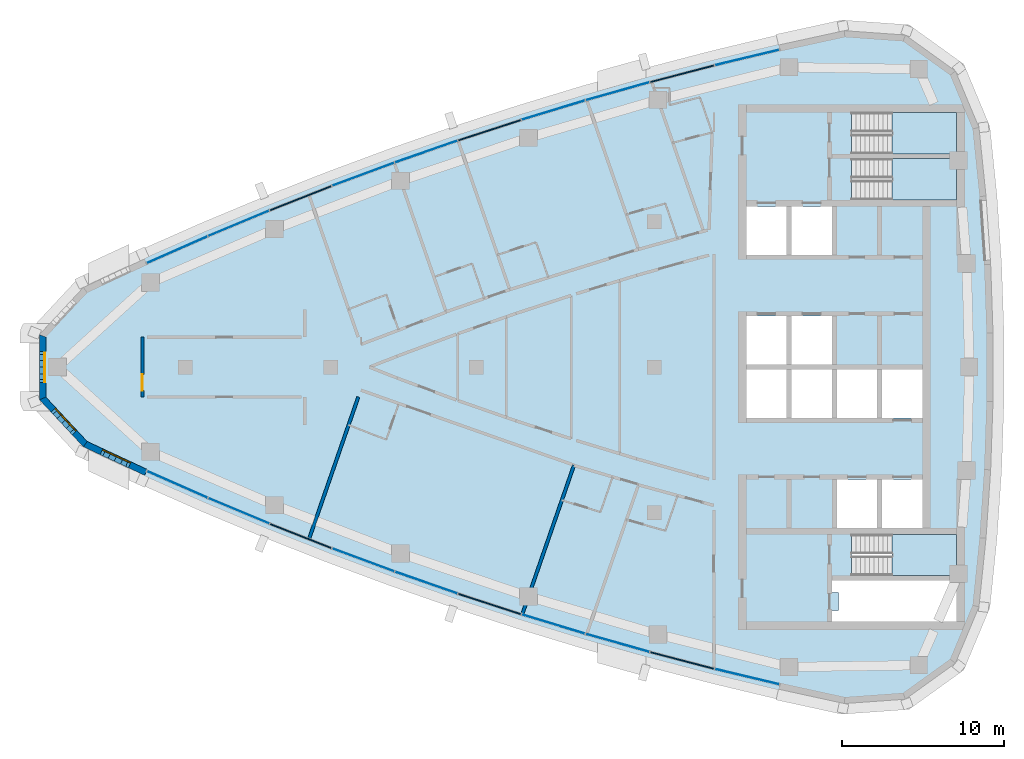
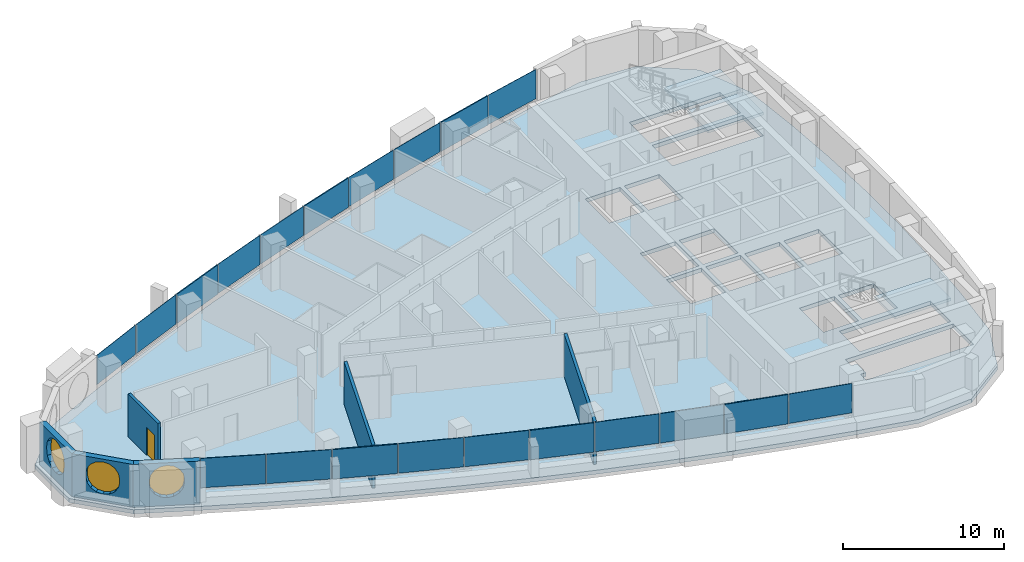
# One storey, part 6 of 14: 20 plates, 6 walls, 4 slabs, 3 windows, 1 door, 5 openings, 13 elements without a shape of their own.
"""IFC4 building model written with IfcOpenShell, lengths in metres."""

from ifc_helpers import new_model, si_unit, direction, frame, frame_2d, origin, origin_2d, place, context, subcontext, project, spatial, polyline, rectangle, outline, extrude, material, layer, layer_set, type_object, element, fill, aggregate, save


model = new_model("IFC4")

# Units and contexts
model_context = context("Model", 3, precision=1e-05, world=origin(), true_north=direction((0.0, 1.0)))
body_context = subcontext(model_context, "Body", "Model", "MODEL_VIEW")
ifc_project = project(units=[si_unit("LENGTHUNIT", "METRE"), si_unit("AREAUNIT", "SQUARE_METRE"), si_unit("VOLUMEUNIT", "CUBIC_METRE"), si_unit("PLANEANGLEUNIT", "RADIAN"), si_unit("MASSUNIT", "GRAM", prefix="KILO")], contexts=[model_context])

# Site, building, storey
site_placement = place(None, origin())
site = spatial("IfcSite", under=ifc_project, at=site_placement, CompositionType="ELEMENT")
building_placement = place(site_placement, origin())
building = spatial("IfcBuilding", under=site, at=building_placement, Name="Ostrand Prow Hotel Tower", CompositionType="ELEMENT")
storey_placement = place(building_placement, frame((0.0, 0.0, 296.300048828125)))
storey = spatial("IfcBuildingStorey", under=building, at=storey_placement, Name="L75", CompositionType="ELEMENT", Elevation=296.300048828125)

# Curtain wall, plates
ifc_material_1 = material(Name="Insulated glass in bronze anodised frame", Category="glass")
ifc_layer_1 = layer(ifc_material_1, 0.199951171875)
ifc_layer_set_1 = layer_set([ifc_layer_1], Name="Insulated glass in bronze anodised frame")
curtain_wall_type = type_object("IfcCurtainWallType", Name="Strip curtain wall, fritted glass over bronze spandrel", PredefinedType="NOTDEFINED", material=ifc_layer_set_1)
curtain_wall_1_placement = place(storey_placement, origin())
curtain_wall_1 = element("IfcCurtainWall", 1, at=curtain_wall_1_placement, inside=storey, type_object=curtain_wall_type, Name="CW1 run CWS1", PredefinedType="NOTDEFINED")
ifc_material_2 = material(Name="Ceramic-fritted glass", Category="glass")
ifc_layer_2 = layer(ifc_material_2, 0.031982421875)
ifc_layer_set_2 = layer_set([ifc_layer_2], Name="Ceramic-fritted glass")
plate_type_1 = type_object("IfcPlateType", Name="Dot-fritted ceramic glass unit 32 mm", PredefinedType="CURTAIN_PANEL", material=ifc_layer_set_2)
plate_1_placement = place(storey_placement, frame((15.493408203125, -7.259765625, 1.02001953125), z_axis=(0.0, 0.0, 1.0), x_axis=(0.914785615941, -0.403939694592, 0.0)))
plate_1 = element("IfcPlate", 2, at=plate_1_placement, type_object=plate_type_1, Name="CW1 PN-D panel 1.2", PredefinedType="CURTAIN_PANEL", context=body_context, shape_type="SweptSolid", body=[
    extrude(rectangle(XDim=4.079833984375, YDim=0.031982421875, at=origin_2d()), origin(), (0.0, 0.0, 1.0), 2.22998046875),
])
plate_2_placement = place(storey_placement, frame((19.297119140625, -8.893798828125, 1.02001953125), z_axis=(0.0, 0.0, 1.0), x_axis=(0.922719840955, -0.385471263659, 0.0)))
plate_2 = element("IfcPlate", 3, at=plate_2_placement, type_object=plate_type_1, Name="CW1 PN-D panel 2.2", PredefinedType="CURTAIN_PANEL", context=body_context, shape_type="SweptSolid", body=[
    extrude(rectangle(XDim=4.079833984375, YDim=0.031982421875, at=origin_2d()), origin(), (0.0, 0.0, 1.0), 2.22998046875),
])
aggregate(curtain_wall_1, [plate_1, plate_2])

# Curtain wall, plate
curtain_wall_2_placement = place(storey_placement, origin())
curtain_wall_2 = element("IfcCurtainWall", 4, at=curtain_wall_2_placement, inside=storey, type_object=curtain_wall_type, Name="CW1 run CWS2", PredefinedType="NOTDEFINED")
plate_3_placement = place(storey_placement, frame((26.99853515625, -11.930908203125, 1.02001953125), z_axis=(0.0, 0.0, 1.0), x_axis=(0.937468017947, -0.348071422738, 0.0)))
plate_3 = element("IfcPlate", 5, at=plate_3_placement, type_object=plate_type_1, Name="CW1 PN-D panel 2.2", PredefinedType="CURTAIN_PANEL", context=body_context, shape_type="SweptSolid", body=[
    extrude(rectangle(XDim=4.079833984375, YDim=0.031982421875, at=origin_2d()), origin(), (0.0, 0.0, 1.0), 2.22998046875),
])

curtain_wall_3_placement = place(storey_placement, origin())
curtain_wall_3 = element("IfcCurtainWall", 6, at=curtain_wall_3_placement, inside=storey, type_object=curtain_wall_type, Name="CW1 run CWS3", PredefinedType="NOTDEFINED")
plate_4_placement = place(storey_placement, frame((30.8935546875, -13.33251953125, 1.02001953125), z_axis=(0.0, 0.0, 1.0), x_axis=(0.944274730614, -0.329158370885, 0.0)))
plate_4 = element("IfcPlate", 7, at=plate_4_placement, type_object=plate_type_1, Name="CW1 PN-D panel 1.2", PredefinedType="CURTAIN_PANEL", context=body_context, shape_type="SweptSolid", body=[
    extrude(rectangle(XDim=4.079833984375, YDim=0.031982421875, at=origin_2d()), origin(), (0.0, 0.0, 1.0), 2.22998046875),
])

# Curtain wall, plates
curtain_wall_4_placement = place(storey_placement, origin())
curtain_wall_4 = element("IfcCurtainWall", 8, at=curtain_wall_4_placement, inside=storey, type_object=curtain_wall_type, Name="CW1 run CWS4", PredefinedType="NOTDEFINED")
plate_5_placement = place(storey_placement, frame((38.76416015625, -15.89990234375, 1.02001953125), z_axis=(0.0, 0.0, 1.0), x_axis=(0.956742015769, -0.290937648411, 0.0)))
plate_5 = element("IfcPlate", 9, at=plate_5_placement, type_object=plate_type_1, Name="CW1 PN-D panel 1.2", PredefinedType="CURTAIN_PANEL", context=body_context, shape_type="SweptSolid", body=[
    extrude(rectangle(XDim=4.079833984375, YDim=0.031982421875, at=origin_2d()), origin(), (0.0, 0.0, 1.0), 2.22998046875),
])
plate_6_placement = place(storey_placement, frame((42.736572265625, -17.064453125, 1.02001953125), z_axis=(0.0, 0.0, 1.0), x_axis=(0.962396468548, -0.271648738865, 0.0)))
plate_6 = element("IfcPlate", 10, at=plate_6_placement, type_object=plate_type_1, Name="CW1 PN-D panel 2.2", PredefinedType="CURTAIN_PANEL", context=body_context, shape_type="SweptSolid", body=[
    extrude(rectangle(XDim=4.079833984375, YDim=0.031982421875, at=origin_2d()), origin(), (0.0, 0.0, 1.0), 2.22998046875),
])
aggregate(curtain_wall_4, [plate_5, plate_6])

# Curtain wall, plate
curtain_wall_5_placement = place(storey_placement, origin())
curtain_wall_5 = element("IfcCurtainWall", 11, at=curtain_wall_5_placement, inside=storey, type_object=curtain_wall_type, Name="CW1 run CWS5", PredefinedType="NOTDEFINED")
plate_7_placement = place(storey_placement, frame((50.74755859375, -19.152587890625, 1.02001953125), z_axis=(0.0, 0.0, 1.0), x_axis=(0.972537533869, -0.232746096028, 0.0)))
plate_7 = element("IfcPlate", 12, at=plate_7_placement, type_object=plate_type_1, Name="CW1 PN-D panel 2.2", PredefinedType="CURTAIN_PANEL", context=body_context, shape_type="SweptSolid", body=[
    extrude(rectangle(XDim=4.079833984375, YDim=0.031982421875, at=origin_2d()), origin(), (0.0, 0.0, 1.0), 2.22998046875),
])

curtain_wall_6_placement = place(storey_placement, origin())
curtain_wall_6 = element("IfcCurtainWall", 13, at=curtain_wall_6_placement, inside=storey, type_object=curtain_wall_type, Name="CW1 run CWN1", PredefinedType="NOTDEFINED")
plate_8_placement = place(storey_placement, frame((50.74755859375, 19.152587890625, 1.02001953125), z_axis=(0.0, 0.0, 1.0), x_axis=(-0.972537533869, -0.232746096028, 0.0)))
plate_8 = element("IfcPlate", 14, at=plate_8_placement, type_object=plate_type_1, Name="CW1 PN-D panel 1.2", PredefinedType="CURTAIN_PANEL", context=body_context, shape_type="SweptSolid", body=[
    extrude(rectangle(XDim=4.079833984375, YDim=0.031982421875, at=origin_2d()), origin(), (0.0, 0.0, 1.0), 2.22998046875),
])

# Curtain wall, plates
curtain_wall_7_placement = place(storey_placement, origin())
curtain_wall_7 = element("IfcCurtainWall", 15, at=curtain_wall_7_placement, inside=storey, type_object=curtain_wall_type, Name="CW1 run CWN2", PredefinedType="NOTDEFINED")
plate_9_placement = place(storey_placement, frame((42.736572265625, 17.064453125, 1.02001953125), z_axis=(0.0, 0.0, 1.0), x_axis=(-0.962396468548, -0.271648738865, 0.0)))
plate_9 = element("IfcPlate", 16, at=plate_9_placement, type_object=plate_type_1, Name="CW1 PN-D panel 1.2", PredefinedType="CURTAIN_PANEL", context=body_context, shape_type="SweptSolid", body=[
    extrude(rectangle(XDim=4.079833984375, YDim=0.031982421875, at=origin_2d()), origin(), (0.0, 0.0, 1.0), 2.22998046875),
])
plate_10_placement = place(storey_placement, frame((38.76416015625, 15.89990234375, 1.02001953125), z_axis=(0.0, 0.0, 1.0), x_axis=(-0.956742015769, -0.290937648411, 0.0)))
plate_10 = element("IfcPlate", 17, at=plate_10_placement, type_object=plate_type_1, Name="CW1 PN-D panel 2.2", PredefinedType="CURTAIN_PANEL", context=body_context, shape_type="SweptSolid", body=[
    extrude(rectangle(XDim=4.079833984375, YDim=0.031982421875, at=origin_2d()), origin(), (0.0, 0.0, 1.0), 2.22998046875),
])
aggregate(curtain_wall_7, [plate_9, plate_10])

# Curtain wall, plate
curtain_wall_8_placement = place(storey_placement, origin())
curtain_wall_8 = element("IfcCurtainWall", 18, at=curtain_wall_8_placement, inside=storey, type_object=curtain_wall_type, Name="CW1 run CWN3", PredefinedType="NOTDEFINED")
plate_11_placement = place(storey_placement, frame((30.8935546875, 13.33251953125, 1.02001953125), z_axis=(0.0, 0.0, 1.0), x_axis=(-0.944274730614, -0.329158370885, 0.0)))
plate_11 = element("IfcPlate", 19, at=plate_11_placement, type_object=plate_type_1, Name="CW1 PN-D panel 2.2", PredefinedType="CURTAIN_PANEL", context=body_context, shape_type="SweptSolid", body=[
    extrude(rectangle(XDim=4.079833984375, YDim=0.031982421875, at=origin_2d()), origin(), (0.0, 0.0, 1.0), 2.22998046875),
])

curtain_wall_9_placement = place(storey_placement, origin())
curtain_wall_9 = element("IfcCurtainWall", 20, at=curtain_wall_9_placement, inside=storey, type_object=curtain_wall_type, Name="CW1 run CWN4", PredefinedType="NOTDEFINED")
plate_12_placement = place(storey_placement, frame((26.99853515625, 11.930908203125, 1.02001953125), z_axis=(0.0, 0.0, 1.0), x_axis=(-0.937468017947, -0.348071422738, 0.0)))
plate_12 = element("IfcPlate", 21, at=plate_12_placement, type_object=plate_type_1, Name="CW1 PN-D panel 1.2", PredefinedType="CURTAIN_PANEL", context=body_context, shape_type="SweptSolid", body=[
    extrude(rectangle(XDim=4.079833984375, YDim=0.031982421875, at=origin_2d()), origin(), (0.0, 0.0, 1.0), 2.22998046875),
])

# Curtain wall, plates
curtain_wall_10_placement = place(storey_placement, origin())
curtain_wall_10 = element("IfcCurtainWall", 22, at=curtain_wall_10_placement, inside=storey, type_object=curtain_wall_type, Name="CW1 run CWN5", PredefinedType="NOTDEFINED")
plate_13_placement = place(storey_placement, frame((19.297119140625, 8.893798828125, 1.02001953125), z_axis=(0.0, 0.0, 1.0), x_axis=(-0.922719840955, -0.385471263659, 0.0)))
plate_13 = element("IfcPlate", 23, at=plate_13_placement, type_object=plate_type_1, Name="CW1 PN-D panel 1.2", PredefinedType="CURTAIN_PANEL", context=body_context, shape_type="SweptSolid", body=[
    extrude(rectangle(XDim=4.079833984375, YDim=0.031982421875, at=origin_2d()), origin(), (0.0, 0.0, 1.0), 2.22998046875),
])
plate_14_placement = place(storey_placement, frame((15.493408203125, 7.259765625, 1.02001953125), z_axis=(0.0, 0.0, 1.0), x_axis=(-0.914785615941, -0.403939694592, 0.0)))
plate_14 = element("IfcPlate", 24, at=plate_14_placement, type_object=plate_type_1, Name="CW1 PN-D panel 2.2", PredefinedType="CURTAIN_PANEL", context=body_context, shape_type="SweptSolid", body=[
    extrude(rectangle(XDim=4.079833984375, YDim=0.031982421875, at=origin_2d()), origin(), (0.0, 0.0, 1.0), 2.22998046875),
])
aggregate(curtain_wall_10, [plate_13, plate_14])

# Plate
ifc_material_3 = material(Name="Fritted glass in bronze vent frame", Category="glass")
ifc_layer_3 = layer(ifc_material_3, 0.080078125)
ifc_layer_set_3 = layer_set([ifc_layer_3], Name="Fritted glass in bronze vent frame")
plate_type_2 = type_object("IfcPlateType", Name="Operable vent panel 80 mm", PredefinedType="CURTAIN_PANEL", material=ifc_layer_set_3)
plate_15_placement = place(storey_placement, frame((23.132568359375, -10.450927734375, 1.02001953125), z_axis=(0.0, 0.0, 1.0), x_axis=(0.930281895249, -0.366845465248, 0.0)))
plate_15 = element("IfcPlate", 25, at=plate_15_placement, type_object=plate_type_2, Name="CW1 PN-O2 panel 1.2", PredefinedType="CURTAIN_PANEL", context=body_context, shape_type="SweptSolid", body=[
    extrude(rectangle(XDim=4.079833984375, YDim=0.080078125, at=origin_2d()), origin(), (0.0, 0.0, 1.0), 2.22998046875),
])

aggregate(curtain_wall_2, [plate_15, plate_3])

plate_16_placement = place(storey_placement, frame((34.81591796875, -14.65576171875, 1.02001953125), z_axis=(0.0, 0.0, 1.0), x_axis=(0.950700464612, -0.310110668289, 0.0)))
plate_16 = element("IfcPlate", 26, at=plate_16_placement, type_object=plate_type_2, Name="CW1 PN-O2 panel 2.2", PredefinedType="CURTAIN_PANEL", context=body_context, shape_type="SweptSolid", body=[
    extrude(rectangle(XDim=4.079833984375, YDim=0.080078125, at=origin_2d()), origin(), (0.0, 0.0, 1.0), 2.22998046875),
])

aggregate(curtain_wall_3, [plate_4, plate_16])

plate_17_placement = place(storey_placement, frame((46.731689453125, -18.148681640625, 1.02001953125), z_axis=(0.0, 0.0, 1.0), x_axis=(0.967662519855, -0.252248384867, 0.0)))
plate_17 = element("IfcPlate", 27, at=plate_17_placement, type_object=plate_type_2, Name="CW1 PN-O2 panel 1.2", PredefinedType="CURTAIN_PANEL", context=body_context, shape_type="SweptSolid", body=[
    extrude(rectangle(XDim=4.079833984375, YDim=0.080078125, at=origin_2d()), origin(), (0.0, 0.0, 1.0), 2.22998046875),
])

aggregate(curtain_wall_5, [plate_17, plate_7])

plate_18_placement = place(storey_placement, frame((46.731689453125, 18.148681640625, 1.02001953125), z_axis=(0.0, 0.0, 1.0), x_axis=(-0.967662519855, -0.252248384867, 0.0)))
plate_18 = element("IfcPlate", 28, at=plate_18_placement, type_object=plate_type_2, Name="CW1 PN-O2 panel 2.2", PredefinedType="CURTAIN_PANEL", context=body_context, shape_type="SweptSolid", body=[
    extrude(rectangle(XDim=4.079833984375, YDim=0.080078125, at=origin_2d()), origin(), (0.0, 0.0, 1.0), 2.22998046875),
])

aggregate(curtain_wall_6, [plate_8, plate_18])

plate_19_placement = place(storey_placement, frame((34.81591796875, 14.65576171875, 1.02001953125), z_axis=(0.0, 0.0, 1.0), x_axis=(-0.950700464612, -0.310110668289, 0.0)))
plate_19 = element("IfcPlate", 29, at=plate_19_placement, type_object=plate_type_2, Name="CW1 PN-O2 panel 1.2", PredefinedType="CURTAIN_PANEL", context=body_context, shape_type="SweptSolid", body=[
    extrude(rectangle(XDim=4.079833984375, YDim=0.080078125, at=origin_2d()), origin(), (0.0, 0.0, 1.0), 2.22998046875),
])

aggregate(curtain_wall_8, [plate_19, plate_11])

plate_20_placement = place(storey_placement, frame((23.132568359375, 10.450927734375, 1.02001953125), z_axis=(0.0, 0.0, 1.0), x_axis=(-0.930281895249, -0.366845465248, 0.0)))
plate_20 = element("IfcPlate", 30, at=plate_20_placement, type_object=plate_type_2, Name="CW1 PN-O2 panel 2.2", PredefinedType="CURTAIN_PANEL", context=body_context, shape_type="SweptSolid", body=[
    extrude(rectangle(XDim=4.079833984375, YDim=0.080078125, at=origin_2d()), origin(), (0.0, 0.0, 1.0), 2.22998046875),
])

aggregate(curtain_wall_9, [plate_12, plate_20])

# Slab, opening
ifc_material_4 = material(Name="Concrete C40/50", Category="concrete")
ifc_layer_4 = layer(ifc_material_4, 0.300048828125)
ifc_layer_set_4 = layer_set([ifc_layer_4], Name="Concrete C40/50")
slab_type_1 = type_object("IfcSlabType", Name="PT flat plate 300 C40/50", PredefinedType="FLOOR", material=ifc_layer_set_4)
slab_1_placement = place(storey_placement, frame((0.0, 0.0, -0.300048828125)))
slab_1 = element("IfcSlab", 31, at=slab_1_placement, inside=storey, type_object=slab_type_1, Name="Floor slab L75-1", PredefinedType="FLOOR", context=body_context, shape_type="SweptSolid", body=[
    extrude(outline(polyline([(9.560791015625, 5.168212890625), (13.365478515625, 6.9404296875), (17.1630859375, 8.6171875), (20.993408203125, 10.21728515625), (24.855224609375, 11.740234375), (28.746826171875, 13.185302734375), (32.666748046875, 14.551513671875), (36.61328125, 15.8388671875), (40.5849609375, 17.046630859375), (44.580078125, 18.17431640625), (48.596923828125, 19.221435546875), (52.634033203125, 20.187744140625), (56.72265625, 21.07958984375), (60.634765625, 20.80029296875), (63.84765625, 18.49072265625), (65.35888671875, 14.87060546875), (65.796875, 10.611083984375), (66.0869140625, 6.37158203125), (66.23193359375, 2.124755859375), (66.23193359375, -2.124755859375), (66.0869140625, -6.37158203125), (65.796875, -10.611083984375), (65.35888671875, -14.87060546875), (63.84765625, -18.49072265625), (60.634765625, -20.80029296875), (56.72265625, -21.07958984375), (52.634033203125, -20.187744140625), (48.596923828125, -19.221435546875), (44.580078125, -18.17431640625), (40.5849609375, -17.046630859375), (36.61328125, -15.8388671875), (32.666748046875, -14.551513671875), (28.746826171875, -13.185302734375), (24.855224609375, -11.740234375), (20.993408203125, -10.21728515625), (17.1630859375, -8.6171875), (13.365478515625, -6.9404296875), (9.560791015625, -5.168212890625), (6.71484375, -2.112548828125), (6.71484375, 2.112548828125), (9.560791015625, 5.168212890625)]), holes=[polyline([(50.699951171875, 6.949951171875), (53.199951171875, 6.949951171875), (53.199951171875, 9.949951171875), (50.699951171875, 9.949951171875), (50.699951171875, 6.949951171875)]), polyline([(53.5, 6.949951171875), (56.0, 6.949951171875), (56.0, 9.949951171875), (53.5, 9.949951171875), (53.5, 6.949951171875)]), polyline([(50.699951171875, 0.14990234375), (53.199951171875, 0.14990234375), (53.199951171875, 3.14990234375), (50.699951171875, 3.14990234375), (50.699951171875, 0.14990234375)]), polyline([(53.5, 0.14990234375), (56.0, 0.14990234375), (56.0, 3.14990234375), (53.5, 3.14990234375), (53.5, 0.14990234375)]), polyline([(50.699951171875, -3.14990234375), (53.199951171875, -3.14990234375), (53.199951171875, -0.14990234375), (50.699951171875, -0.14990234375), (50.699951171875, -3.14990234375)]), polyline([(53.5, -3.14990234375), (56.0, -3.14990234375), (56.0, -0.14990234375), (53.5, -0.14990234375), (53.5, -3.14990234375)]), polyline([(56.300048828125, -3.14990234375), (58.800048828125, -3.14990234375), (58.800048828125, -0.14990234375), (56.300048828125, -0.14990234375), (56.300048828125, -3.14990234375)]), polyline([(59.10009765625, -3.14990234375), (61.60009765625, -3.14990234375), (61.60009765625, -0.14990234375), (59.10009765625, -0.14990234375), (59.10009765625, -3.14990234375)]), polyline([(56.300048828125, -9.949951171875), (58.800048828125, -9.949951171875), (58.800048828125, -6.949951171875), (56.300048828125, -6.949951171875), (56.300048828125, -9.949951171875)]), polyline([(59.10009765625, -9.949951171875), (61.60009765625, -9.949951171875), (61.60009765625, -6.949951171875), (59.10009765625, -6.949951171875), (59.10009765625, -9.949951171875)]), polyline([(57.200927734375, 10.35107421875), (57.200927734375, 12.89892578125), (63.718994140625, 12.89892578125), (63.718994140625, 10.35107421875), (57.200927734375, 10.35107421875)]), polyline([(57.200927734375, 13.200927734375), (57.200927734375, 15.7490234375), (63.718994140625, 15.7490234375), (63.718994140625, 13.200927734375), (57.200927734375, 13.200927734375)]), polyline([(57.200927734375, -12.89892578125), (57.200927734375, -10.35107421875), (63.718994140625, -10.35107421875), (63.718994140625, -12.89892578125), (57.200927734375, -12.89892578125)]), polyline([(56.0, -13.949951171875), (56.0, -13.199951171875), (63.719970703125, -13.199951171875), (63.719970703125, -15.75), (56.0, -15.75), (56.0, -15.050048828125), (56.39990234375, -15.050048828125), (56.39990234375, -13.949951171875), (56.0, -13.949951171875)])]), origin(), (0.0, 0.0, 1.0), 0.300048828125),
])
opening_1_placement = place(slab_1_placement, origin())
element("IfcOpeningElement", 32, at=opening_1_placement, cuts=slab_1, Name="Shaft opening 1", PredefinedType="OPENING", context=body_context, shape_type="SweptSolid", body=[
    extrude(outline(polyline([(56.0, -13.949951171875), (56.0, -13.199951171875), (63.719970703125, -13.199951171875), (63.719970703125, -15.75), (56.0, -15.75), (56.0, -15.050048828125), (56.39990234375, -15.050048828125), (56.39990234375, -13.949951171875), (56.0, -13.949951171875)])), origin(), (0.0, 0.0, 1.0), 0.300048828125),
])

# Stair, slab
ifc_material_5 = material(Name="Concrete C40/50", Category="concrete")
stair_type = type_object("IfcStairType", Name="Exit stair 1200 upper zone", PredefinedType="HALF_TURN_STAIR", material=ifc_material_5)
stair_1_placement = place(storey_placement, origin())
stair_1 = element("IfcStair", 33, at=stair_1_placement, inside=storey, type_object=stair_type, Name="L75 ST1C", PredefinedType="HALF_TURN_STAIR")
ifc_material_6 = material(Name="Concrete C40/50", Category="concrete")
ifc_layer_5 = layer(ifc_material_6, 0.199951171875)
ifc_layer_set_5 = layer_set([ifc_layer_5], Name="Concrete C40/50")
slab_type_2 = type_object("IfcSlabType", Name="Stair landing 200 concrete", PredefinedType="LANDING", material=ifc_layer_set_5)
slab_2_placement = place(storey_placement, frame((0.0, 0.0, 1.574951171875)))
slab_2 = element("IfcSlab", 34, at=slab_2_placement, type_object=slab_type_2, Name="ST1C landing 1", PredefinedType="LANDING", context=body_context, shape_type="SweptSolid", body=[
    extrude(outline(polyline([(59.719970703125, 10.35009765625), (63.719970703125, 10.35009765625), (63.719970703125, 12.89990234375), (59.719970703125, 12.89990234375), (59.719970703125, 10.35009765625)])), origin(), (0.0, 0.0, 1.0), 0.199951171875),
])
aggregate(stair_1, [slab_2])

stair_2_placement = place(storey_placement, origin())
stair_2 = element("IfcStair", 35, at=stair_2_placement, inside=storey, type_object=stair_type, Name="L75 ST3C", PredefinedType="HALF_TURN_STAIR")
slab_3_placement = place(storey_placement, frame((0.0, 0.0, 1.574951171875)))
slab_3 = element("IfcSlab", 36, at=slab_3_placement, type_object=slab_type_2, Name="ST3C landing 1", PredefinedType="LANDING", context=body_context, shape_type="SweptSolid", body=[
    extrude(outline(polyline([(59.719970703125, 13.199951171875), (63.719970703125, 13.199951171875), (63.719970703125, 15.75), (59.719970703125, 15.75), (59.719970703125, 13.199951171875)])), origin(), (0.0, 0.0, 1.0), 0.199951171875),
])
aggregate(stair_2, [slab_3])

stair_3_placement = place(storey_placement, origin())
stair_3 = element("IfcStair", 37, at=stair_3_placement, inside=storey, type_object=stair_type, Name="L75 ST2C", PredefinedType="HALF_TURN_STAIR")
slab_4_placement = place(storey_placement, frame((0.0, 0.0, 1.574951171875)))
slab_4 = element("IfcSlab", 38, at=slab_4_placement, type_object=slab_type_2, Name="ST2C landing 1", PredefinedType="LANDING", context=body_context, shape_type="SweptSolid", body=[
    extrude(outline(polyline([(59.719970703125, -12.89990234375), (63.719970703125, -12.89990234375), (63.719970703125, -10.35009765625), (59.719970703125, -10.35009765625), (59.719970703125, -12.89990234375)])), origin(), (0.0, 0.0, 1.0), 0.199951171875),
])
aggregate(stair_3, [slab_4])

# Walls
ifc_material_7 = material(Name="Plasterboard partition")
ifc_layer_6 = layer(ifc_material_7, 0.199951171875)
ifc_layer_set_6 = layer_set([ifc_layer_6], Name="Plasterboard partition")
wall_type_1 = type_object("IfcWallType", Name="Partition 200 key partition", PredefinedType="PARTITIONING", material=ifc_layer_set_6)
wall_1_placement = place(storey_placement, frame((23.66845703125, -10.573486328125, 0.0), z_axis=(0.0, 0.0, 1.0), x_axis=(0.327714422317, 0.944776829418, 0.0)))
element("IfcWall", 39, at=wall_1_placement, inside=storey, type_object=wall_type_1, Name="KEY PARTITION", PredefinedType="PARTITIONING", context=body_context, shape_type="SweptSolid", body=[
    extrude(rectangle(XDim=9.2333984375, YDim=0.199951171875, at=frame_2d((4.61669921875, 0.0))), origin(), (0.0, 0.0, 1.0), 3.25),
])
wall_2_placement = place(storey_placement, frame((36.86083984375, -15.23486328125, 0.0), z_axis=(0.0, 0.0, 1.0), x_axis=(0.327710853631, 0.944778067279, 0.0)))
element("IfcWall", 40, at=wall_2_placement, inside=storey, type_object=wall_type_1, Name="KEY PARTITION", PredefinedType="PARTITIONING", context=body_context, shape_type="SweptSolid", body=[
    extrude(rectangle(XDim=9.707275390625, YDim=0.199951171875, at=frame_2d((4.853515625, 0.0))), origin(), (0.0, 0.0, 1.0), 3.25),
])

# Wall, opening, door
ifc_material_8 = material(Name="Plasterboard partition")
ifc_layer_7 = layer(ifc_material_8, 0.199951171875)
ifc_layer_set_7 = layer_set([ifc_layer_7], Name="Plasterboard partition")
wall_type_2 = type_object("IfcWallType", Name="Partition 200 lounge wall", PredefinedType="PARTITIONING", material=ifc_layer_set_7)
wall_3_placement = place(storey_placement, frame((13.337158203125, -1.85009765625, 0.0), z_axis=(0.0, 0.0, 1.0), x_axis=(0.0, 1.0, 0.0)))
wall_3 = element("IfcWall", 41, at=wall_3_placement, inside=storey, type_object=wall_type_2, Name="LOUNGE WALL", PredefinedType="PARTITIONING", context=body_context, shape_type="SweptSolid", body=[
    extrude(rectangle(XDim=3.7001953125, YDim=0.199951171875, at=frame_2d((1.85009765625, 0.0))), origin(), (0.0, 0.0, 1.0), 3.25),
])
opening_2_placement = place(wall_3_placement, frame((0.39990234375, 0.0, 0.0)))
opening_2 = element("IfcOpeningElement", 42, at=opening_2_placement, cuts=wall_3, Name="Opening D1", PredefinedType="OPENING", context=body_context, shape_type="SweptSolid", body=[
    extrude(rectangle(XDim=1.0, YDim=2.10009765625, at=frame_2d((0.5, 1.050048828125))), frame((0.0, 0.10986328125, 0.0), z_axis=(0.0, -1.0, 0.0), x_axis=(1.0, 0.0, 0.0)), (0.0, 0.0, 1.0), 0.219970703125),
])
ifc_material_9 = material(Name="Timber door leaf", Category="wood")
door_type = type_object("IfcDoorType", Name="Guest room door 1000", OperationType="SINGLE_SWING_LEFT", PredefinedType="DOOR", material=ifc_material_9)
door_placement = place(opening_2_placement, origin())
door = element("IfcDoor", 43, at=door_placement, inside=storey, type_object=door_type, Name="DOOR", OperationType="SINGLE_SWING_LEFT", OverallHeight=2.10009765625, OverallWidth=1.0, PredefinedType="DOOR", context=body_context, shape_type="SweptSolid", body=[
    extrude(rectangle(XDim=1.0, YDim=2.10009765625, at=frame_2d((0.5, 1.050048828125))), frame((0.0, 0.02490234375, 0.0), z_axis=(0.0, -1.0, 0.0), x_axis=(1.0, 0.0, 0.0)), (0.0, 0.0, 1.0), 0.050048828125),
])
fill(opening_2, door)

# Wall, opening, window
ifc_material_10 = material(Name="Precast concrete C40/50", Category="concrete")
ifc_layer_8 = layer(ifc_material_10, 0.39990234375)
ifc_layer_set_8 = layer_set([ifc_layer_8], Name="Precast concrete C40/50")
wall_type_3 = type_object("IfcWallType", Name="Stone-faced precast wall 400 mm", PredefinedType="NOTDEFINED", material=ifc_layer_set_8)
wall_4_placement = place(storey_placement, frame((7.167236328125, 1.9345703125, 0.0), z_axis=(0.0, 0.0, 1.0), x_axis=(0.0, -1.0, 0.0)))
wall_4 = element("IfcWall", 44, at=wall_4_placement, inside=storey, type_object=wall_type_3, Name="Stone-faced wall prow 3", PredefinedType="NOTDEFINED", context=body_context, shape_type="SweptSolid", body=[
    extrude(outline(polyline([(-0.07861328125, -0.199951171875), (3.94775390625, -0.199951171875), (3.79052734375, 0.199951171875), (0.07861328125, 0.199951171875), (-0.07861328125, -0.199951171875)])), origin(), (0.0, 0.0, 1.0), 3.25),
])
opening_3_placement = place(wall_4_placement, frame((0.834716796875, 0.0, 0.60009765625)))
opening_3 = element("IfcOpeningElement", 45, at=opening_3_placement, cuts=wall_4, Name="Opening WP1", PredefinedType="OPENING", context=body_context, shape_type="SweptSolid", body=[
    extrude(outline(polyline([(0.0, 1.35009765625), (0.083740234375, 1.77099609375), (0.322265625, 2.127685546875), (0.678955078125, 2.3662109375), (1.10009765625, 2.449951171875), (1.52099609375, 2.3662109375), (1.877685546875, 2.127685546875), (2.1162109375, 1.77099609375), (2.199951171875, 1.35009765625), (2.199951171875, 1.10009765625), (2.1162109375, 0.678955078125), (1.877685546875, 0.322265625), (1.52099609375, 0.083740234375), (1.10009765625, 0.0), (0.678955078125, 0.083740234375), (0.322265625, 0.322265625), (0.083740234375, 0.678955078125), (0.0, 1.099853515625), (0.0, 1.35009765625)])), frame((0.0, 0.2099609375, 0.0), z_axis=(0.0, -1.0, 0.0), x_axis=(1.0, 0.0, 0.0)), (0.0, 0.0, 1.0), 0.419921875),
])
ifc_material_11 = material(Name="Insulated glass in bronze frame", Category="glass")
window_type = type_object("IfcWindowType", Name="Round-ended prow window 2200x2450", PartitioningType="SINGLE_PANEL", PredefinedType="WINDOW", material=ifc_material_11)
window_1_placement = place(opening_3_placement, origin())
window_1 = element("IfcWindow", 46, at=window_1_placement, inside=storey, type_object=window_type, Name="Window prow 3.1", OverallHeight=2.449951171875, OverallWidth=2.199951171875, PartitioningType="SINGLE_PANEL", PredefinedType="WINDOW", context=body_context, shape_type="SweptSolid", body=[
    extrude(outline(polyline([(0.0, 1.35009765625), (0.083740234375, 1.77099609375), (0.322265625, 2.127685546875), (0.678955078125, 2.3662109375), (1.10009765625, 2.449951171875), (1.52099609375, 2.3662109375), (1.877685546875, 2.127685546875), (2.1162109375, 1.77099609375), (2.199951171875, 1.35009765625), (2.199951171875, 1.10009765625), (2.1162109375, 0.678955078125), (1.877685546875, 0.322265625), (1.52099609375, 0.083740234375), (1.10009765625, 0.0), (0.678955078125, 0.083740234375), (0.322265625, 0.322265625), (0.083740234375, 0.678955078125), (0.0, 1.099853515625), (0.0, 1.35009765625)])), frame((0.0, 0.169921875, 0.0), z_axis=(0.0, -1.0, 0.0), x_axis=(1.0, 0.0, 0.0)), (0.0, 0.0, 1.0), 0.06005859375),
])
fill(opening_3, window_1)

wall_5_placement = place(storey_placement, frame((7.167236328125, -1.9345703125, 0.0), z_axis=(0.0, 0.0, 1.0), x_axis=(0.6815467277, -0.73177459505, 0.0)))
wall_5 = element("IfcWall", 47, at=wall_5_placement, inside=storey, type_object=wall_type_3, Name="Stone-faced wall prow 4", PredefinedType="NOTDEFINED", context=body_context, shape_type="SweptSolid", body=[
    extrude(outline(polyline([(-0.07861328125, -0.199951171875), (3.908203125, -0.199951171875), (3.830078125, 0.199951171875), (0.07861328125, 0.199951171875), (-0.07861328125, -0.199951171875)])), origin(), (0.0, 0.0, 1.0), 3.25),
])
opening_4_placement = place(wall_5_placement, frame((0.834716796875, 0.0, 0.60009765625)))
opening_4 = element("IfcOpeningElement", 48, at=opening_4_placement, cuts=wall_5, Name="Opening WP1", PredefinedType="OPENING", context=body_context, shape_type="SweptSolid", body=[
    extrude(outline(polyline([(0.0, 1.35009765625), (0.083740234375, 1.77099609375), (0.322265625, 2.127685546875), (0.678955078125, 2.3662109375), (1.10009765625, 2.449951171875), (1.52099609375, 2.3662109375), (1.877685546875, 2.127685546875), (2.1162109375, 1.77099609375), (2.199951171875, 1.35009765625), (2.199951171875, 1.10009765625), (2.1162109375, 0.678955078125), (1.877685546875, 0.322265625), (1.52099609375, 0.083740234375), (1.10009765625, 0.0), (0.678955078125, 0.083740234375), (0.322265625, 0.322265625), (0.083740234375, 0.678955078125), (0.0, 1.099853515625), (0.0, 1.35009765625)])), frame((0.0, 0.2099609375, 0.0), z_axis=(0.0, -1.0, 0.0), x_axis=(1.0, 0.0, 0.0)), (0.0, 0.0, 1.0), 0.419921875),
])
window_2_placement = place(opening_4_placement, origin())
window_2 = element("IfcWindow", 49, at=window_2_placement, inside=storey, type_object=window_type, Name="Window prow 4.1", OverallHeight=2.449951171875, OverallWidth=2.199951171875, PartitioningType="SINGLE_PANEL", PredefinedType="WINDOW", context=body_context, shape_type="SweptSolid", body=[
    extrude(outline(polyline([(0.0, 1.35009765625), (0.083740234375, 1.77099609375), (0.322265625, 2.127685546875), (0.678955078125, 2.3662109375), (1.10009765625, 2.449951171875), (1.52099609375, 2.3662109375), (1.877685546875, 2.127685546875), (2.1162109375, 1.77099609375), (2.199951171875, 1.35009765625), (2.199951171875, 1.10009765625), (2.1162109375, 0.678955078125), (1.877685546875, 0.322265625), (1.52099609375, 0.083740234375), (1.10009765625, 0.0), (0.678955078125, 0.083740234375), (0.322265625, 0.322265625), (0.083740234375, 0.678955078125), (0.0, 1.099853515625), (0.0, 1.35009765625)])), frame((0.0, 0.169921875, 0.0), z_axis=(0.0, -1.0, 0.0), x_axis=(1.0, 0.0, 0.0)), (0.0, 0.0, 1.0), 0.06005859375),
])
fill(opening_4, window_2)

wall_6_placement = place(storey_placement, frame((9.80419921875, -4.765869140625, 0.0), z_axis=(0.0, 0.0, 1.0), x_axis=(0.906485602396, -0.42223672584, 0.0)))
wall_6 = element("IfcWall", 50, at=wall_6_placement, inside=storey, type_object=wall_type_3, Name="Stone-faced wall prow 5", PredefinedType="NOTDEFINED", context=body_context, shape_type="SweptSolid", body=[
    extrude(outline(polyline([(-0.0390625, -0.199951171875), (4.1416015625, -0.199951171875), (4.1416015625, 0.199951171875), (0.0390625, 0.199951171875), (-0.0390625, -0.199951171875)])), origin(), (0.0, 0.0, 1.0), 3.25),
])
opening_5_placement = place(wall_6_placement, frame((0.970947265625, 0.0, 0.60009765625)))
opening_5 = element("IfcOpeningElement", 51, at=opening_5_placement, cuts=wall_6, Name="Opening WP1", PredefinedType="OPENING", context=body_context, shape_type="SweptSolid", body=[
    extrude(outline(polyline([(0.0, 1.35009765625), (0.083740234375, 1.77099609375), (0.322265625, 2.127685546875), (0.678955078125, 2.3662109375), (1.10009765625, 2.449951171875), (1.52099609375, 2.3662109375), (1.877685546875, 2.127685546875), (2.1162109375, 1.77099609375), (2.199951171875, 1.35009765625), (2.199951171875, 1.10009765625), (2.1162109375, 0.678955078125), (1.877685546875, 0.322265625), (1.52099609375, 0.083740234375), (1.10009765625, 0.0), (0.678955078125, 0.083740234375), (0.322265625, 0.322265625), (0.083740234375, 0.678955078125), (0.0, 1.099853515625), (0.0, 1.35009765625)])), frame((0.0, 0.2099609375, 0.0), z_axis=(0.0, -1.0, 0.0), x_axis=(1.0, 0.0, 0.0)), (0.0, 0.0, 1.0), 0.419921875),
])
window_3_placement = place(opening_5_placement, origin())
window_3 = element("IfcWindow", 52, at=window_3_placement, inside=storey, type_object=window_type, Name="Window prow 5.1", OverallHeight=2.449951171875, OverallWidth=2.199951171875, PartitioningType="SINGLE_PANEL", PredefinedType="WINDOW", context=body_context, shape_type="SweptSolid", body=[
    extrude(outline(polyline([(0.0, 1.35009765625), (0.083740234375, 1.77099609375), (0.322265625, 2.127685546875), (0.678955078125, 2.3662109375), (1.10009765625, 2.449951171875), (1.52099609375, 2.3662109375), (1.877685546875, 2.127685546875), (2.1162109375, 1.77099609375), (2.199951171875, 1.35009765625), (2.199951171875, 1.10009765625), (2.1162109375, 0.678955078125), (1.877685546875, 0.322265625), (1.52099609375, 0.083740234375), (1.10009765625, 0.0), (0.678955078125, 0.083740234375), (0.322265625, 0.322265625), (0.083740234375, 0.678955078125), (0.0, 1.099853515625), (0.0, 1.35009765625)])), frame((0.0, 0.169921875, 0.0), z_axis=(0.0, -1.0, 0.0), x_axis=(1.0, 0.0, 0.0)), (0.0, 0.0, 1.0), 0.06005859375),
])
fill(opening_5, window_3)

save(model, "model.ifc")
